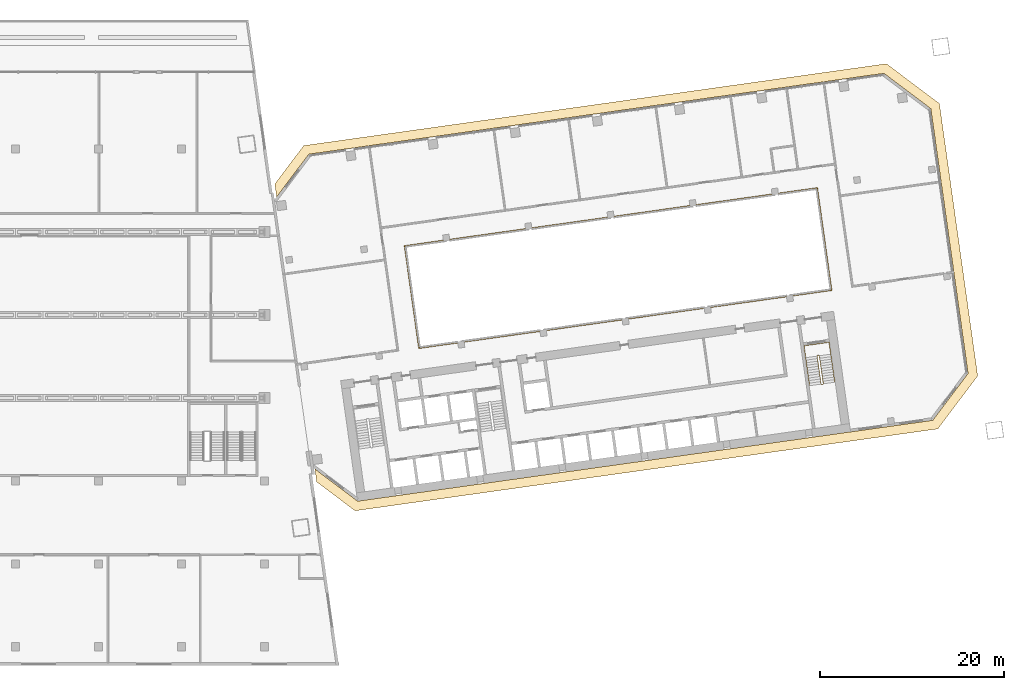
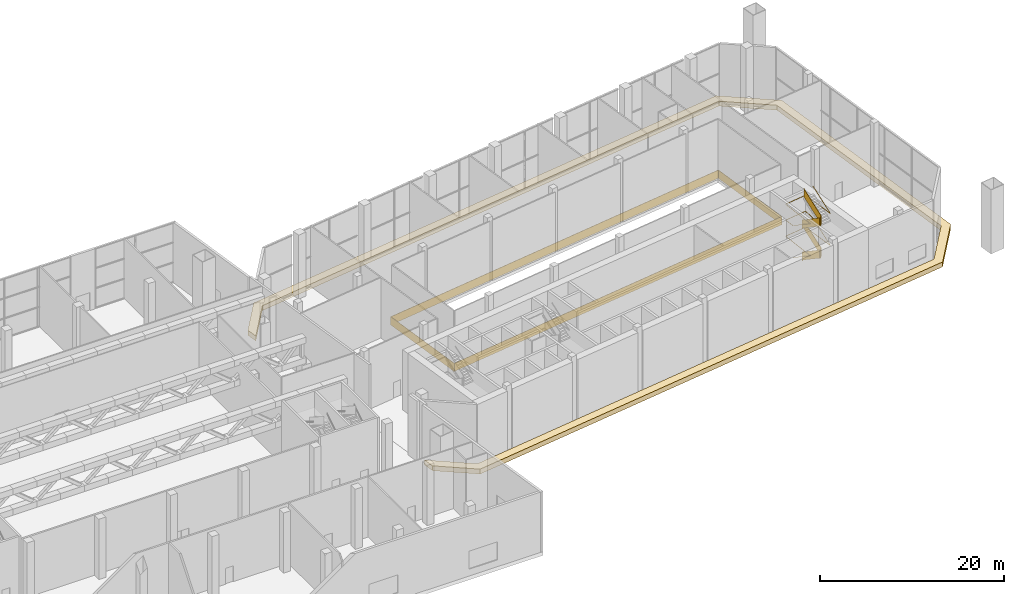
# One storey, part 31 of 31: 3 railings, 1 covering.
"""IFC4 building model written with IfcOpenShell, lengths in metres."""

from ifc_helpers import new_model, si_unit, direction, frame, origin, origin_2d, place, context, subcontext, project, spatial, polyline, rectangle, outline, extrude, material, layer, layer_set, type_object, element, save


model = new_model("IFC4")

# Units and contexts
model_context = context("Model", 3, precision=1e-05, world=origin(), true_north=direction((0.0, 1.0)))
body_context = subcontext(model_context, "Body", "Model", "MODEL_VIEW")
ifc_project = project(units=[si_unit("LENGTHUNIT", "METRE"), si_unit("AREAUNIT", "SQUARE_METRE"), si_unit("VOLUMEUNIT", "CUBIC_METRE"), si_unit("PLANEANGLEUNIT", "RADIAN"), si_unit("MASSUNIT", "GRAM", prefix="KILO")], contexts=[model_context])

# Site, building, storey
site_placement = place(None, origin())
site = spatial("IfcSite", under=ifc_project, at=site_placement, CompositionType="ELEMENT")
building_placement = place(site_placement, origin())
building = spatial("IfcBuilding", under=site, at=building_placement, Name="Mirante Cascada Hotel Towers", CompositionType="ELEMENT")
storey_placement = place(building_placement, frame((0.0, 0.0, 9.0)))
storey = spatial("IfcBuildingStorey", under=building, at=storey_placement, Name="L01", CompositionType="ELEMENT", Elevation=9.0)

# Railing
ifc_material_1 = material(Name="Painted steel", Category="steel")
railing_type_1 = type_object("IfcRailingType", Name="Atrium edge guard 1100 steel balustrade", PredefinedType="GUARDRAIL", material=ifc_material_1)
railing_1_placement = place(storey_placement, frame((43.7567, -3.601, 0.0)))
element("IfcRailing", 1, at=railing_1_placement, inside=storey, type_object=railing_type_1, Name="Atrium guard T2 L01", PredefinedType="GUARDRAIL", context=body_context, shape_type="SweptSolid", body=[
    extrude(rectangle(XDim=0.048, YDim=0.048, at=origin_2d()), frame((0.0, 0.0, 1.076), z_axis=(0.9902681, 0.1391726, 0.0), x_axis=(-0.1391726, 0.9902681, 0.0)), (0.0, 0.0, 1.0), 45.2),
    extrude(rectangle(XDim=0.02, YDim=1.052, at=origin_2d()), frame((0.0, 0.0, 0.526), z_axis=(0.9902681, 0.1391726, 0.0), x_axis=(-0.1391726, 0.9902681, 0.0)), (0.0, 0.0, 1.0), 45.2),
    extrude(rectangle(XDim=0.048, YDim=0.048, at=origin_2d()), frame((44.7601, 6.2906, 1.076), z_axis=(-0.1391697, 0.9902685, 0.0), x_axis=(-0.9902685, -0.1391697, 0.0)), (0.0, 0.0, 1.0), 11.2),
    extrude(rectangle(XDim=0.02, YDim=1.052, at=origin_2d()), frame((44.7601, 6.2906, 0.526), z_axis=(-0.1391697, 0.9902685, 0.0), x_axis=(-0.9902685, -0.1391697, 0.0)), (0.0, 0.0, 1.0), 11.2),
    extrude(rectangle(XDim=0.048, YDim=0.048, at=origin_2d()), frame((43.2014, 17.3816, 1.076), z_axis=(-0.9902681, -0.1391726, 0.0), x_axis=(0.1391726, -0.9902681, 0.0)), (0.0, 0.0, 1.0), 45.2),
    extrude(rectangle(XDim=0.02, YDim=1.052, at=origin_2d()), frame((43.2014, 17.3816, 0.526), z_axis=(-0.9902681, -0.1391726, 0.0), x_axis=(0.1391726, -0.9902681, 0.0)), (0.0, 0.0, 1.0), 45.2),
    extrude(rectangle(XDim=0.048, YDim=0.048, at=origin_2d()), frame((-1.5587, 11.091, 1.076), z_axis=(0.1391697, -0.9902685, 0.0), x_axis=(0.9902685, 0.1391697, 0.0)), (0.0, 0.0, 1.0), 11.2),
    extrude(rectangle(XDim=0.02, YDim=1.052, at=origin_2d()), frame((-1.5587, 11.091, 0.526), z_axis=(0.1391697, -0.9902685, 0.0), x_axis=(0.9902685, 0.1391697, 0.0)), (0.0, 0.0, 1.0), 11.2),
])

# Covering
ifc_material_2 = material(Name="Precast concrete C40/50 white", Category="concrete")
ifc_layer = layer(ifc_material_2, 0.6)
ifc_layer_set = layer_set([ifc_layer], Name="Precast concrete SUNSHADE band 1000x600")
covering_type = type_object("IfcCoveringType", Name="Precast concrete SUNSHADE band 1000x600", PredefinedType="CLADDING", material=ifc_layer_set)
covering_placement = place(storey_placement, frame((0.0, 0.0, -0.5)))
element("IfcCovering", 2, at=covering_placement, inside=storey, type_object=covering_type, Name="Precast concrete SUNSHADE band T2 L01", PredefinedType="CLADDING", context=body_context, shape_type="SweptSolid", body=[
    extrude(outline(polyline([(94.4698, 27.2572), (100.2139, 22.9287), (104.3652, -6.6094), (100.0367, -12.3535), (36.8295, -21.2367), (32.6666, -18.0998), (32.4698, -16.6993), (37.1005, -20.1888), (99.4874, -11.4209), (103.3173, -6.3384), (99.2813, 22.3794), (94.1988, 26.2093), (31.8119, 17.4414), (28.3224, 12.8107), (28.1256, 14.2111), (31.2626, 18.374), (94.4698, 27.2572)])), origin(), (0.0, 0.0, 1.0), 0.65),
])

# Railings
ifc_material_3 = material(Name="Painted steel", Category="steel")
railing_type_2 = type_object("IfcRailingType", Name="Stair guard 1100 steel balustrade", PredefinedType="GUARDRAIL", material=ifc_material_3)
railing_2_placement = place(storey_placement, frame((87.1361, -4.3713, 0.0)))
element("IfcRailing", 3, at=railing_2_placement, inside=storey, type_object=railing_type_2, Name="L01 ST2-C stair guard 1", PredefinedType="GUARDRAIL", context=body_context, shape_type="SweptSolid", body=[
    extrude(rectangle(XDim=0.048, YDim=0.048, at=origin_2d()), frame((0.0, 0.0, 1.076), z_axis=(-0.9902537, -0.1392753, 0.0), x_axis=(0.1392753, -0.9902537, 0.0)), (0.0, 0.0, 1.0), 0.1501),
    extrude(rectangle(XDim=0.02, YDim=1.052, at=origin_2d()), frame((0.0, 0.0, 0.526), z_axis=(-0.9902537, -0.1392753, 0.0), x_axis=(0.1392753, -0.9902537, 0.0)), (0.0, 0.0, 1.0), 0.1501),
    extrude(rectangle(XDim=0.048, YDim=0.048, at=origin_2d()), frame((-0.1486, -0.0209, 1.076), z_axis=(-0.601811, -0.7986386, 0.0), x_axis=(0.7986386, -0.601811, 0.0)), (0.0, 0.9288737, 0.3703966), 0.1907),
    extrude(rectangle(XDim=0.02, YDim=1.052, at=origin_2d()), frame((-0.1486, -0.0209, 0.526), z_axis=(-0.601811, -0.7986386, 0.0), x_axis=(0.7986386, -0.601811, 0.0)), (0.0, 0.9288737, 0.3703966), 0.1907),
    extrude(rectangle(XDim=0.048, YDim=0.048, at=origin_2d()), frame((-0.1911, -0.0773, 1.2531), z_axis=(0.1391573, -0.9902703, 0.0), x_axis=(0.9902703, 0.1391573, 0.0)), (0.0, 0.5345142, 0.8451595), 3.6442),
    extrude(rectangle(XDim=0.02, YDim=1.052, at=origin_2d()), frame((-0.1911, -0.0773, 0.7031), z_axis=(0.1391573, -0.9902703, 0.0), x_axis=(0.9902703, 0.1391573, 0.0)), (0.0, 0.5345142, 0.8451595), 3.6442),
    extrude(rectangle(XDim=0.048, YDim=0.048, at=origin_2d()), frame((0.2375, -3.1273, 3.201), z_axis=(0.9944441, -0.1052656, 0.0), x_axis=(0.1052656, 0.9944441, 0.0)), (0.0, 0.0, 1.0), 0.2061),
    extrude(rectangle(XDim=0.02, YDim=1.052, at=origin_2d()), frame((0.2375, -3.1273, 2.651), z_axis=(0.9944441, -0.1052656, 0.0), x_axis=(0.1052656, 0.9944441, 0.0)), (0.0, 0.0, 1.0), 0.2061),
    extrude(rectangle(XDim=0.048, YDim=0.048, at=origin_2d()), frame((0.4425, -3.149, 3.201), z_axis=(-0.9902408, -0.1393672, 0.0), x_axis=(0.1393672, -0.9902408, 0.0)), (0.0, 0.0, 1.0), 0.15),
    extrude(rectangle(XDim=0.02, YDim=1.052, at=origin_2d()), frame((0.4425, -3.149, 2.651), z_axis=(-0.9902408, -0.1393672, 0.0), x_axis=(0.1393672, -0.9902408, 0.0)), (0.0, 0.0, 1.0), 0.15),
    extrude(rectangle(XDim=0.048, YDim=0.048, at=origin_2d()), frame((0.294, -3.1699, 3.201), z_axis=(0.9270311, 0.3749843, 0.0), x_axis=(-0.3749843, 0.9270311, 0.0)), (0.0, 0.6516541, 0.7585163), 0.2718),
    extrude(rectangle(XDim=0.02, YDim=1.052, at=origin_2d()), frame((0.294, -3.1699, 2.651), z_axis=(0.9270311, 0.3749843, 0.0), x_axis=(-0.3749843, 0.9270311, 0.0)), (0.0, 0.6516541, 0.7585163), 0.2718),
    extrude(rectangle(XDim=0.048, YDim=0.048, at=origin_2d()), frame((0.4851, -3.0926, 3.3781), z_axis=(-0.1391847, 0.9902664, 0.0), x_axis=(-0.9902664, -0.1391847, 0.0)), (0.0, 0.5345002, 0.8451684), 3.6443),
    extrude(rectangle(XDim=0.02, YDim=1.052, at=origin_2d()), frame((0.4851, -3.0926, 2.8281), z_axis=(-0.1391847, 0.9902664, 0.0), x_axis=(-0.9902664, -0.1391847, 0.0)), (0.0, 0.5345002, 0.8451684), 3.6443),
    extrude(rectangle(XDim=0.048, YDim=0.048, at=origin_2d()), frame((0.0564, -0.0425, 5.326), z_axis=(-0.7986386, 0.601811, 0.0), x_axis=(-0.601811, -0.7986386, 0.0)), (0.0, 0.0, 1.0), 0.0706),
    extrude(rectangle(XDim=0.02, YDim=1.052, at=origin_2d()), frame((0.0564, -0.0425, 4.776), z_axis=(-0.7986386, 0.601811, 0.0), x_axis=(-0.601811, -0.7986386, 0.0)), (0.0, 0.0, 1.0), 0.0706),
    extrude(rectangle(XDim=0.048, YDim=0.048, at=origin_2d()), frame((0.0, 0.0, 5.326), z_axis=(-0.9902537, -0.1392753, 0.0), x_axis=(0.1392753, -0.9902537, 0.0)), (0.0, 0.0, 1.0), 0.1501),
    extrude(rectangle(XDim=0.02, YDim=1.052, at=origin_2d()), frame((0.0, 0.0, 4.776), z_axis=(-0.9902537, -0.1392753, 0.0), x_axis=(0.1392753, -0.9902537, 0.0)), (0.0, 0.0, 1.0), 0.1501),
    extrude(rectangle(XDim=0.048, YDim=0.048, at=origin_2d()), frame((-0.1486, -0.0209, 5.326), z_axis=(-0.601811, -0.7986386, 0.0), x_axis=(0.7986386, -0.601811, 0.0)), (0.0, 0.9288737, 0.3703966), 0.1907),
    extrude(rectangle(XDim=0.02, YDim=1.052, at=origin_2d()), frame((-0.1486, -0.0209, 4.776), z_axis=(-0.601811, -0.7986386, 0.0), x_axis=(0.7986386, -0.601811, 0.0)), (0.0, 0.9288737, 0.3703966), 0.1907),
    extrude(rectangle(XDim=0.048, YDim=0.048, at=origin_2d()), frame((-0.1911, -0.0773, 5.5031), z_axis=(0.1391573, -0.9902703, 0.0), x_axis=(0.9902703, 0.1391573, 0.0)), (0.0, 0.5345142, 0.8451595), 3.6442),
    extrude(rectangle(XDim=0.02, YDim=1.052, at=origin_2d()), frame((-0.1911, -0.0773, 4.9531), z_axis=(0.1391573, -0.9902703, 0.0), x_axis=(0.9902703, 0.1391573, 0.0)), (0.0, 0.5345142, 0.8451595), 3.6442),
    extrude(rectangle(XDim=0.048, YDim=0.048, at=origin_2d()), frame((0.2375, -3.1273, 7.451), z_axis=(0.9944441, -0.1052656, 0.0), x_axis=(0.1052656, 0.9944441, 0.0)), (0.0, 0.0, 1.0), 0.2061),
    extrude(rectangle(XDim=0.02, YDim=1.052, at=origin_2d()), frame((0.2375, -3.1273, 6.901), z_axis=(0.9944441, -0.1052656, 0.0), x_axis=(0.1052656, 0.9944441, 0.0)), (0.0, 0.0, 1.0), 0.2061),
    extrude(rectangle(XDim=0.048, YDim=0.048, at=origin_2d()), frame((0.4425, -3.149, 7.451), z_axis=(-0.9902408, -0.1393672, 0.0), x_axis=(0.1393672, -0.9902408, 0.0)), (0.0, 0.0, 1.0), 0.15),
    extrude(rectangle(XDim=0.02, YDim=1.052, at=origin_2d()), frame((0.4425, -3.149, 6.901), z_axis=(-0.9902408, -0.1393672, 0.0), x_axis=(0.1393672, -0.9902408, 0.0)), (0.0, 0.0, 1.0), 0.15),
    extrude(rectangle(XDim=0.048, YDim=0.048, at=origin_2d()), frame((0.294, -3.1699, 7.451), z_axis=(0.9270311, 0.3749843, 0.0), x_axis=(-0.3749843, 0.9270311, 0.0)), (0.0, 0.6516541, 0.7585163), 0.2718),
    extrude(rectangle(XDim=0.02, YDim=1.052, at=origin_2d()), frame((0.294, -3.1699, 6.901), z_axis=(0.9270311, 0.3749843, 0.0), x_axis=(-0.3749843, 0.9270311, 0.0)), (0.0, 0.6516541, 0.7585163), 0.2718),
    extrude(rectangle(XDim=0.048, YDim=0.048, at=origin_2d()), frame((0.4851, -3.0926, 7.6281), z_axis=(-0.1391847, 0.9902664, 0.0), x_axis=(-0.9902664, -0.1391847, 0.0)), (0.0, 0.5345002, 0.8451684), 3.6443),
    extrude(rectangle(XDim=0.02, YDim=1.052, at=origin_2d()), frame((0.4851, -3.0926, 7.0781), z_axis=(-0.1391847, 0.9902664, 0.0), x_axis=(-0.9902664, -0.1391847, 0.0)), (0.0, 0.5345002, 0.8451684), 3.6443),
])
ifc_material_4 = material(Name="Painted steel", Category="steel")
railing_type_3 = type_object("IfcRailingType", Name="Stair handrail 900 steel tube", PredefinedType="HANDRAIL", material=ifc_material_4)
railing_3_placement = place(storey_placement, frame((85.7071, -4.6226, 0.1771)))
element("IfcRailing", 4, at=railing_3_placement, inside=storey, type_object=railing_type_3, Name="L01 ST2-C stair handrail 1", PredefinedType="HANDRAIL", context=body_context, shape_type="SweptSolid", body=[
    extrude(rectangle(XDim=0.048, YDim=0.048, at=origin_2d()), frame((0.0, 0.0, 0.876), z_axis=(0.1391892, -0.9902658, 0.0), x_axis=(0.9902658, 0.1391892, 0.0)), (0.0, 0.5345125, 0.8451606), 3.6443),
    extrude(rectangle(XDim=0.048, YDim=0.048, at=origin_2d()), frame((0.4287, -3.05, 2.8239), z_axis=(-0.1391772, 0.9902675, 0.0), x_axis=(-0.9902675, -0.1391772, 0.0)), (0.0, 0.0404005, 0.9991836), 4.3836),
    extrude(rectangle(XDim=0.048, YDim=0.048, at=origin_2d()), frame((-0.1809, 1.2874, 3.001), z_axis=(0.9902691, 0.1391657, 0.0), x_axis=(-0.1391657, 0.9902691, 0.0)), (0.0, 0.0, 1.0), 2.75),
    extrude(rectangle(XDim=0.048, YDim=0.048, at=origin_2d()), frame((2.5423, 1.6701, 3.001), z_axis=(0.1391772, -0.9902675, 0.0), x_axis=(0.9902675, 0.1391772, 0.0)), (0.0, 0.0, 1.0), 4.38),
    extrude(rectangle(XDim=0.048, YDim=0.048, at=origin_2d()), frame((3.1519, -2.6673, 3.001), z_axis=(-0.1391573, 0.9902703, 0.0), x_axis=(-0.9902703, -0.1391573, 0.0)), (0.0, 0.5345142, 0.8451595), 3.6442),
    extrude(rectangle(XDim=0.048, YDim=0.048, at=origin_2d()), frame((2.7234, 0.3817, 4.9488), z_axis=(-0.1392242, 0.9902609, 0.0), x_axis=(-0.9902609, -0.1392242, 0.0)), (0.0, 0.1349777, 0.9908486), 1.3131),
    extrude(rectangle(XDim=0.048, YDim=0.048, at=origin_2d()), frame((2.5423, 1.6701, 5.126), z_axis=(-0.9902691, -0.1391657, 0.0), x_axis=(0.1391657, -0.9902691, 0.0)), (0.0, 0.0, 1.0), 2.75),
    extrude(rectangle(XDim=0.048, YDim=0.048, at=origin_2d()), frame((-0.1809, 1.2874, 5.126), z_axis=(0.1391488, -0.9902715, 0.0), x_axis=(0.9902715, 0.1391488, 0.0)), (0.0, 0.0, 1.0), 1.3),
    extrude(rectangle(XDim=0.048, YDim=0.048, at=origin_2d()), frame((-0.0001, 0.0008, 5.1255), z_axis=(0.1391892, -0.9902658, 0.0), x_axis=(0.9902658, 0.1391892, 0.0)), (0.0, 0.5345125, 0.8451606), 3.6453),
    extrude(rectangle(XDim=0.048, YDim=0.048, at=origin_2d()), frame((0.4287, -3.05, 7.0739), z_axis=(-0.1391772, 0.9902675, 0.0), x_axis=(-0.9902675, -0.1391772, 0.0)), (0.0, 0.0404005, 0.9991836), 4.3836),
    extrude(rectangle(XDim=0.048, YDim=0.048, at=origin_2d()), frame((-0.1809, 1.2874, 7.251), z_axis=(0.9902691, 0.1391657, 0.0), x_axis=(-0.1391657, 0.9902691, 0.0)), (0.0, 0.0, 1.0), 2.75),
    extrude(rectangle(XDim=0.048, YDim=0.048, at=origin_2d()), frame((2.5423, 1.6701, 7.251), z_axis=(0.1391772, -0.9902675, 0.0), x_axis=(0.9902675, 0.1391772, 0.0)), (0.0, 0.0, 1.0), 4.38),
    extrude(rectangle(XDim=0.048, YDim=0.048, at=origin_2d()), frame((3.1519, -2.6673, 7.251), z_axis=(-0.1391573, 0.9902703, 0.0), x_axis=(-0.9902703, -0.1391573, 0.0)), (0.0, 0.5345142, 0.8451595), 3.6442),
])

save(model, "model.ifc")
